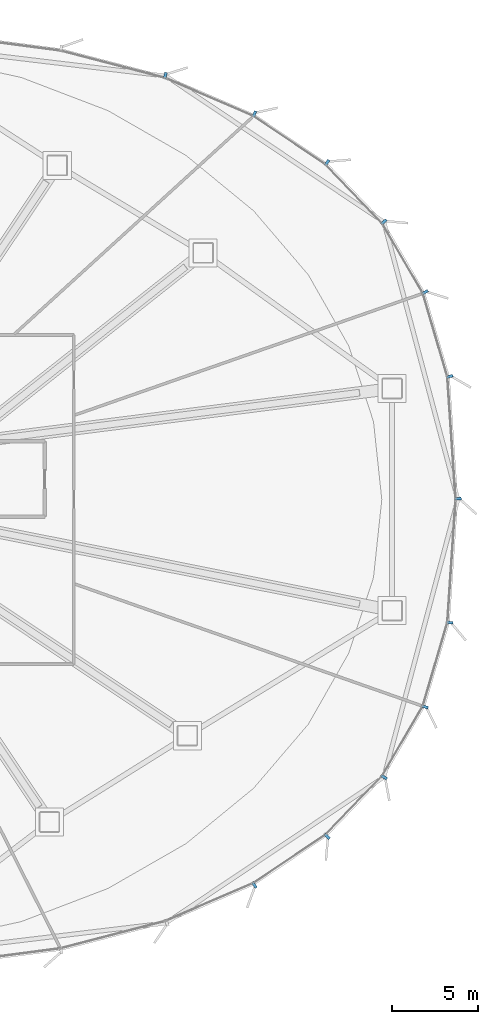
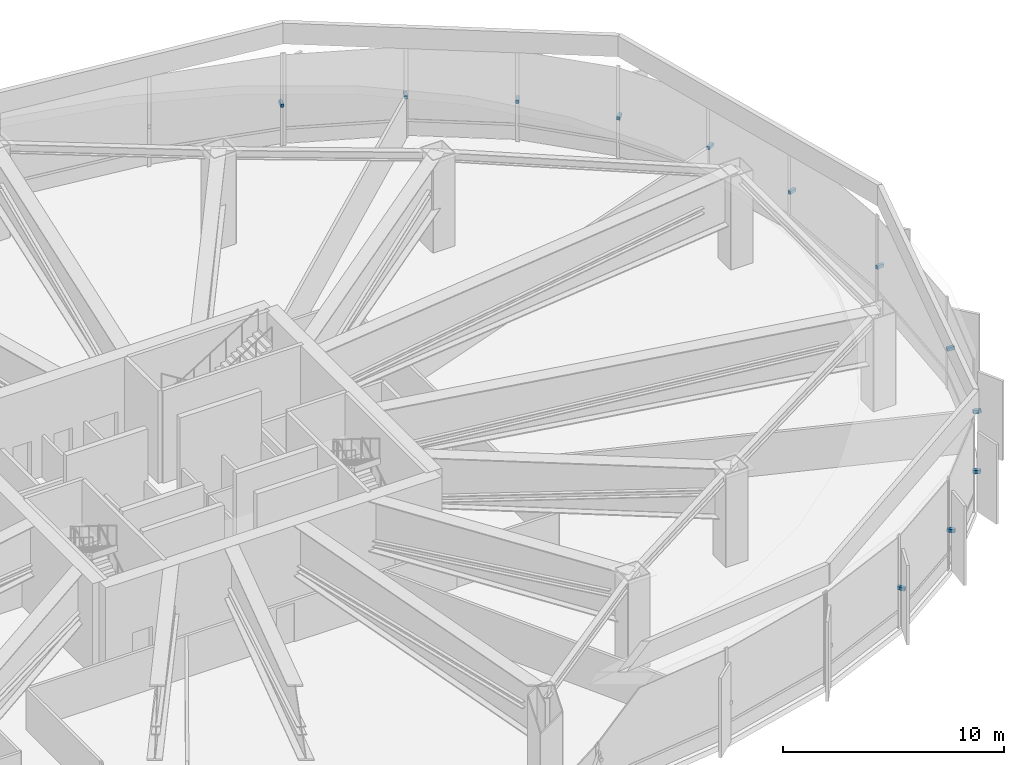
# One storey, part 31 of 36: 12 discrete accessories.
"""IFC4 building model written with IfcOpenShell, lengths in metres."""

from ifc_helpers import new_model, si_unit, direction, frame, origin, origin_2d, place, context, subcontext, project, spatial, rectangle, extrude, source, transform, mapped, material, type_object, element, save


model = new_model("IFC4")

# Units and contexts
model_context = context("Model", 3, precision=1e-05, world=origin(), true_north=direction((0.0, 1.0)))
body_context = subcontext(model_context, "Body", "Model", "MODEL_VIEW")
ifc_project = project(units=[si_unit("LENGTHUNIT", "METRE"), si_unit("AREAUNIT", "SQUARE_METRE"), si_unit("VOLUMEUNIT", "CUBIC_METRE"), si_unit("PLANEANGLEUNIT", "RADIAN"), si_unit("MASSUNIT", "GRAM", prefix="KILO"), si_unit("THERMODYNAMICTEMPERATUREUNIT", "KELVIN")], contexts=[model_context])

# Site, building, storey
site_placement = place(None, origin())
site = spatial("IfcSite", under=ifc_project, at=site_placement, CompositionType="ELEMENT")
building_placement = place(site_placement, origin())
building = spatial("IfcBuilding", under=site, at=building_placement, Name="Kethvar Cultural Tower", CompositionType="ELEMENT")
storey_placement = place(building_placement, frame((0.0, 0.0, 24.0)))
storey = spatial("IfcBuildingStorey", under=building, at=storey_placement, Name="L05", CompositionType="ELEMENT", Elevation=24.0)

# Discrete accessories
ifc_material = material(Name="Steel S355J2", Category="steel")
discrete_accessory_type = type_object("IfcDiscreteAccessoryType", Name="Steel Fin Bracket BRK-01", PredefinedType="BRACKET", material=ifc_material)
shared_shape = source(origin(), body_context, "Body", "SweptSolid", [
    extrude(rectangle(XDim=0.3798828125, YDim=0.159912109375, at=origin_2d()), origin(), (0.0, 0.0, 1.0), 0.179931640625),
])
for number, where, z_axis, x_axis, name in (
    (1, (83.206787109375, 27.849365234375, 2.1298828125), (0.0, 0.0, 1.0), (0.997754957227, 0.066970481029, 0.0), "L05 Terracotta Fin Bracket 1.1"),
    (2, (82.727294921875, 34.9814453125, 2.1298828125), (0.0, 0.0, 1.0), (0.959510852267, 0.281671660596, 0.0), "L05 Terracotta Fin Bracket 1.2"),
    (3, (81.28369140625, 39.896728515625, 2.1298828125), (0.0, 0.0, 1.0), (0.864011302865, 0.503472410885, 0.0), "L05 Terracotta Fin Bracket 1.3"),
    (4, (78.8916015625, 44.000732421875, 2.1298828125), (0.0, 0.0, 1.0), (0.72055111168, 0.693401828276, 0.0), "L05 Terracotta Fin Bracket 1.4"),
    (5, (75.568603515625, 47.4541015625, 2.1298828125), (0.0, 0.0, 1.0), (0.556585649903, 0.83079023485, 0.0), "L05 Terracotta Fin Bracket 1.5"),
    (6, (71.330322265625, 50.293212890625, 2.1298828125), (0.0, 0.0, 1.0), (0.396346847517, 0.9181008531, 0.0), "L05 Terracotta Fin Bracket 1.6"),
    (7, (66.128662109375, 52.531005859375, 2.1298828125), (0.0, 0.0, 1.0), (0.253082602519, 0.96744467351, 0.0), "L05 Terracotta Fin Bracket 2.1"),
    (8, (71.331787109375, 5.3076171875, 2.1298828125), (0.0, 0.0, 1.0), (0.556585649903, -0.83079023485, 0.0), "L05 Terracotta Fin Bracket 6.2"),
    (9, (75.5703125, 8.147216796875, 2.1298828125), (0.0, 0.0, 1.0), (0.72055111168, -0.693401828276, 0.0), "L05 Terracotta Fin Bracket 6.3"),
    (10, (78.893310546875, 11.601318359375, 2.1298828125), (0.0, 0.0, 1.0), (0.864011302865, -0.503472410885, 0.0), "L05 Terracotta Fin Bracket 6.4"),
    (11, (81.28466796875, 15.70556640625, 2.1298828125), (0.0, 0.0, 1.0), (0.959510852267, -0.281671660596, 0.0), "L05 Terracotta Fin Bracket 6.5"),
    (12, (82.727783203125, 20.62060546875, 2.1298828125), (0.0, 0.0, 1.0), (0.997754957227, -0.066970481029, 0.0), "L05 Terracotta Fin Bracket 6.6"),
):
    element("IfcDiscreteAccessory", number, at=place(storey_placement, frame(where, z_axis=z_axis, x_axis=x_axis)), inside=storey, type_object=discrete_accessory_type, Name=name, PredefinedType="BRACKET", context=body_context, shape_type="MappedRepresentation", body=[
        mapped(shared_shape, transform((0.0, 0.0, 0.0), scale=1.0)),
    ])

save(model, "model.ifc")
